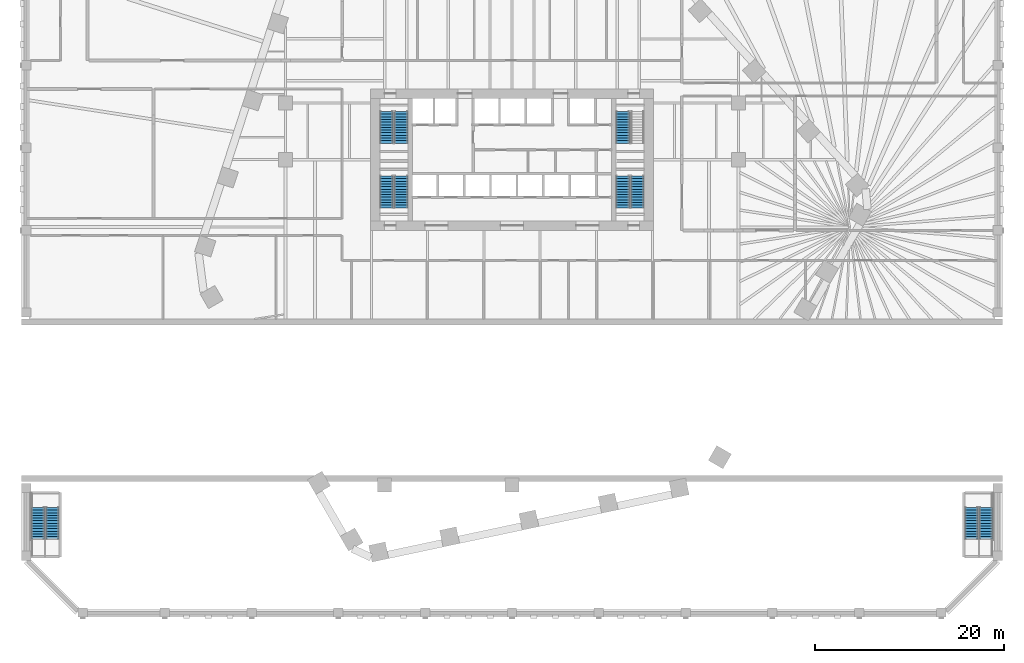
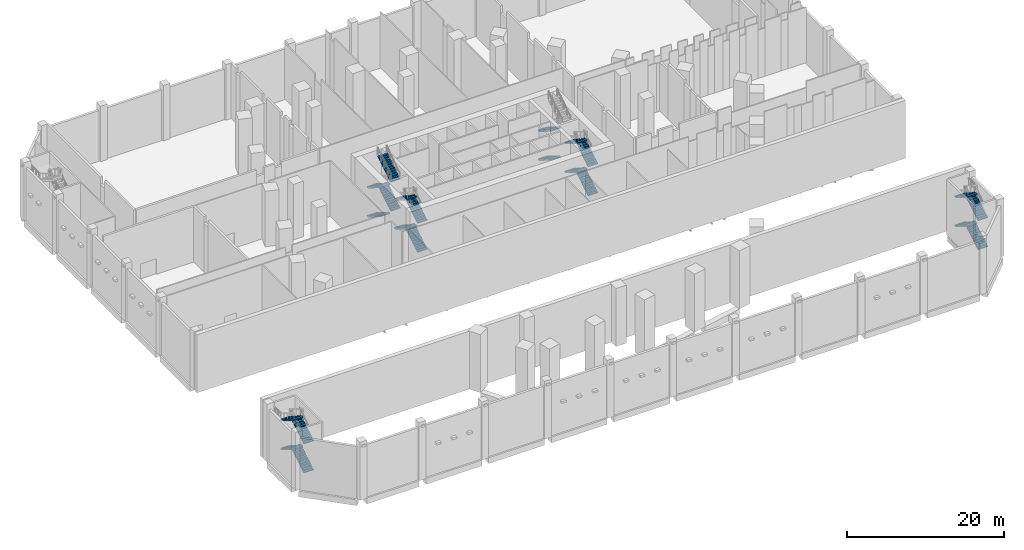
# One storey, part 13 of 23: 22 stair flights, 6 elements without a shape of their own.
"""IFC4 building model written with IfcOpenShell, lengths in metres."""

from ifc_helpers import new_model, si_unit, direction, frame, origin, place, context, subcontext, project, spatial, polyline, outline, extrude, material, type_object, element, aggregate, save


model = new_model("IFC4")

# Units and contexts
model_context = context("Model", 3, precision=1e-05, world=origin(), true_north=direction((0.0, 1.0)))
body_context = subcontext(model_context, "Body", "Model", "MODEL_VIEW")
ifc_project = project(units=[si_unit("LENGTHUNIT", "METRE"), si_unit("AREAUNIT", "SQUARE_METRE"), si_unit("VOLUMEUNIT", "CUBIC_METRE"), si_unit("PLANEANGLEUNIT", "RADIAN"), si_unit("MASSUNIT", "GRAM", prefix="KILO")], contexts=[model_context])

# Site, building, storey
site_placement = place(None, origin())
site = spatial("IfcSite", under=ifc_project, at=site_placement, CompositionType="ELEMENT")
building_placement = place(site_placement, origin())
building = spatial("IfcBuilding", under=site, at=building_placement, Name="Isthmus Gate Tower", CompositionType="ELEMENT")
storey_placement = place(building_placement, frame((0.0, 0.0, 9.0)))
storey = spatial("IfcBuildingStorey", under=building, at=storey_placement, Name="L01", CompositionType="ELEMENT", Elevation=9.0)

# Stair, stair flights
ifc_material_1 = material(Name="Concrete f'c 40 MPa", Category="concrete")
stair_type_1 = type_object("IfcStairType", Name="Podium exit stair 1400 wide flights", PredefinedType="HALF_TURN_STAIR", material=ifc_material_1)
stair_1_placement = place(storey_placement, origin())
stair_1 = element("IfcStair", 1, at=stair_1_placement, inside=storey, type_object=stair_type_1, Name="L01 Podium Exit Stair ST3", PredefinedType="HALF_TURN_STAIR")
ifc_material_2 = material(Name="Concrete f'c 40 MPa", Category="concrete")
stair_flight_type_1 = type_object("IfcStairFlightType", Name="Podium stair flight 1400", PredefinedType="STRAIGHT", material=ifc_material_2)
stair_flight_1_placement = place(storey_placement, frame((-48.699951171875, -32.72509765625, 0.0), z_axis=(0.0, 0.0, 1.0), x_axis=(0.0, 1.0, 0.0)))
stair_flight_1 = element("IfcStairFlight", 2, at=stair_flight_1_placement, type_object=stair_flight_type_1, Name="ST3 flight 1", NumberOfRisers=13, NumberOfTreads=12, PredefinedType="STRAIGHT", RiserHeight=0.173076923, TreadLength=0.28, context=body_context, shape_type="SweptSolid", body=[
    extrude(outline(polyline([(0.0, 0.0), (0.0, 0.173095703125), (0.280029296875, 0.173095703125), (0.280029296875, 0.34619140625), (0.56005859375, 0.34619140625), (0.56005859375, 0.519287109375), (0.840087890625, 0.519287109375), (0.840087890625, 0.6923828125), (1.1201171875, 0.6923828125), (1.1201171875, 0.865478515625), (1.39990234375, 0.865478515625), (1.39990234375, 1.03857421875), (1.679931640625, 1.03857421875), (1.679931640625, 1.21142578125), (1.9599609375, 1.21142578125), (1.9599609375, 1.384521484375), (2.239990234375, 1.384521484375), (2.239990234375, 1.5576171875), (2.52001953125, 1.5576171875), (2.52001953125, 1.730712890625), (2.800048828125, 1.730712890625), (2.800048828125, 1.90380859375), (3.080078125, 1.90380859375), (3.080078125, 2.076904296875), (3.360107421875, 2.076904296875), (3.360107421875, 2.25), (3.360107421875, 1.900634765625), (0.28515625, 0.0), (0.0, 0.0)])), frame((0.0, 0.699951171875, 0.0), z_axis=(0.0, -1.0, 0.0), x_axis=(1.0, 0.0, 0.0)), (0.0, 0.0, 1.0), 1.39990234375),
])
stair_flight_2_placement = place(storey_placement, frame((-50.25, -29.364990234375, 2.25), z_axis=(0.0, 0.0, 1.0), x_axis=(0.0, -1.0, 0.0)))
stair_flight_2 = element("IfcStairFlight", 3, at=stair_flight_2_placement, type_object=stair_flight_type_1, Name="ST3 flight 2", NumberOfRisers=13, NumberOfTreads=12, PredefinedType="STRAIGHT", RiserHeight=0.173076923, TreadLength=0.28, context=body_context, shape_type="SweptSolid", body=[
    extrude(outline(polyline([(0.0, 0.0), (0.0, 0.173095703125), (0.280029296875, 0.173095703125), (0.280029296875, 0.34619140625), (0.56005859375, 0.34619140625), (0.56005859375, 0.519287109375), (0.840087890625, 0.519287109375), (0.840087890625, 0.6923828125), (1.1201171875, 0.6923828125), (1.1201171875, 0.865478515625), (1.39990234375, 0.865478515625), (1.39990234375, 1.03857421875), (1.679931640625, 1.03857421875), (1.679931640625, 1.21142578125), (1.9599609375, 1.21142578125), (1.9599609375, 1.384521484375), (2.239990234375, 1.384521484375), (2.239990234375, 1.5576171875), (2.52001953125, 1.5576171875), (2.52001953125, 1.730712890625), (2.800048828125, 1.730712890625), (2.800048828125, 1.90380859375), (3.080078125, 1.90380859375), (3.080078125, 2.076904296875), (3.360107421875, 2.076904296875), (3.360107421875, 2.25), (3.360107421875, 1.900634765625), (0.28515625, 0.0), (0.0, 0.0)])), frame((0.0, 0.699951171875, 0.0), z_axis=(0.0, -1.0, 0.0), x_axis=(1.0, 0.0, 0.0)), (0.0, 0.0, 1.0), 1.39990234375),
])
stair_flight_3_placement = place(storey_placement, frame((-48.699951171875, -32.72509765625, 4.5), z_axis=(0.0, 0.0, 1.0), x_axis=(0.0, 1.0, 0.0)))
stair_flight_3 = element("IfcStairFlight", 4, at=stair_flight_3_placement, type_object=stair_flight_type_1, Name="ST3 flight 3", NumberOfRisers=13, NumberOfTreads=12, PredefinedType="STRAIGHT", RiserHeight=0.173076923, TreadLength=0.28, context=body_context, shape_type="SweptSolid", body=[
    extrude(outline(polyline([(0.0, 0.0), (0.0, 0.173095703125), (0.280029296875, 0.173095703125), (0.280029296875, 0.34619140625), (0.56005859375, 0.34619140625), (0.56005859375, 0.519287109375), (0.840087890625, 0.519287109375), (0.840087890625, 0.6923828125), (1.1201171875, 0.6923828125), (1.1201171875, 0.865478515625), (1.39990234375, 0.865478515625), (1.39990234375, 1.03857421875), (1.679931640625, 1.03857421875), (1.679931640625, 1.21142578125), (1.9599609375, 1.21142578125), (1.9599609375, 1.384521484375), (2.239990234375, 1.384521484375), (2.239990234375, 1.5576171875), (2.52001953125, 1.5576171875), (2.52001953125, 1.730712890625), (2.800048828125, 1.730712890625), (2.800048828125, 1.90380859375), (3.080078125, 1.90380859375), (3.080078125, 2.076904296875), (3.360107421875, 2.076904296875), (3.360107421875, 2.25), (3.360107421875, 1.900634765625), (0.28515625, 0.0), (0.0, 0.0)])), frame((0.0, 0.699951171875, 0.0), z_axis=(0.0, -1.0, 0.0), x_axis=(1.0, 0.0, 0.0)), (0.0, 0.0, 1.0), 1.39990234375),
])
stair_flight_4_placement = place(storey_placement, frame((-50.25, -29.364990234375, 6.75), z_axis=(0.0, 0.0, 1.0), x_axis=(0.0, -1.0, 0.0)))
stair_flight_4 = element("IfcStairFlight", 5, at=stair_flight_4_placement, type_object=stair_flight_type_1, Name="ST3 flight 4", NumberOfRisers=13, NumberOfTreads=12, PredefinedType="STRAIGHT", RiserHeight=0.173076923, TreadLength=0.28, context=body_context, shape_type="SweptSolid", body=[
    extrude(outline(polyline([(0.0, 0.0), (0.0, 0.173095703125), (0.280029296875, 0.173095703125), (0.280029296875, 0.34619140625), (0.56005859375, 0.34619140625), (0.56005859375, 0.519287109375), (0.840087890625, 0.519287109375), (0.840087890625, 0.6923828125), (1.1201171875, 0.6923828125), (1.1201171875, 0.865478515625), (1.39990234375, 0.865478515625), (1.39990234375, 1.03857421875), (1.679931640625, 1.03857421875), (1.679931640625, 1.21142578125), (1.9599609375, 1.21142578125), (1.9599609375, 1.384521484375), (2.239990234375, 1.384521484375), (2.239990234375, 1.5576171875), (2.52001953125, 1.5576171875), (2.52001953125, 1.730712890625), (2.800048828125, 1.730712890625), (2.800048828125, 1.90380859375), (3.080078125, 1.90380859375), (3.080078125, 2.076904296875), (3.360107421875, 2.076904296875), (3.360107421875, 2.25), (3.360107421875, 1.900634765625), (0.28515625, 0.0), (0.0, 0.0)])), frame((0.0, 0.699951171875, 0.0), z_axis=(0.0, -1.0, 0.0), x_axis=(1.0, 0.0, 0.0)), (0.0, 0.0, 1.0), 1.39990234375),
])
aggregate(stair_1, [stair_flight_1, stair_flight_2, stair_flight_3, stair_flight_4])

stair_2_placement = place(storey_placement, origin())
stair_2 = element("IfcStair", 6, at=stair_2_placement, inside=storey, type_object=stair_type_1, Name="L01 Podium Exit Stair ST4", PredefinedType="HALF_TURN_STAIR")
stair_flight_5_placement = place(storey_placement, frame((50.25, -32.72509765625, 0.0), z_axis=(0.0, 0.0, 1.0), x_axis=(0.0, 1.0, 0.0)))
stair_flight_5 = element("IfcStairFlight", 7, at=stair_flight_5_placement, type_object=stair_flight_type_1, Name="ST4 flight 1", NumberOfRisers=13, NumberOfTreads=12, PredefinedType="STRAIGHT", RiserHeight=0.173076923, TreadLength=0.28, context=body_context, shape_type="SweptSolid", body=[
    extrude(outline(polyline([(0.0, 0.0), (0.0, 0.173095703125), (0.280029296875, 0.173095703125), (0.280029296875, 0.34619140625), (0.56005859375, 0.34619140625), (0.56005859375, 0.519287109375), (0.840087890625, 0.519287109375), (0.840087890625, 0.6923828125), (1.1201171875, 0.6923828125), (1.1201171875, 0.865478515625), (1.39990234375, 0.865478515625), (1.39990234375, 1.03857421875), (1.679931640625, 1.03857421875), (1.679931640625, 1.21142578125), (1.9599609375, 1.21142578125), (1.9599609375, 1.384521484375), (2.239990234375, 1.384521484375), (2.239990234375, 1.5576171875), (2.52001953125, 1.5576171875), (2.52001953125, 1.730712890625), (2.800048828125, 1.730712890625), (2.800048828125, 1.90380859375), (3.080078125, 1.90380859375), (3.080078125, 2.076904296875), (3.360107421875, 2.076904296875), (3.360107421875, 2.25), (3.360107421875, 1.900634765625), (0.28515625, 0.0), (0.0, 0.0)])), frame((0.0, 0.699951171875, 0.0), z_axis=(0.0, -1.0, 0.0), x_axis=(1.0, 0.0, 0.0)), (0.0, 0.0, 1.0), 1.39990234375),
])
stair_flight_6_placement = place(storey_placement, frame((48.699951171875, -29.364990234375, 2.25), z_axis=(0.0, 0.0, 1.0), x_axis=(0.0, -1.0, 0.0)))
stair_flight_6 = element("IfcStairFlight", 8, at=stair_flight_6_placement, type_object=stair_flight_type_1, Name="ST4 flight 2", NumberOfRisers=13, NumberOfTreads=12, PredefinedType="STRAIGHT", RiserHeight=0.173076923, TreadLength=0.28, context=body_context, shape_type="SweptSolid", body=[
    extrude(outline(polyline([(0.0, 0.0), (0.0, 0.173095703125), (0.280029296875, 0.173095703125), (0.280029296875, 0.34619140625), (0.56005859375, 0.34619140625), (0.56005859375, 0.519287109375), (0.840087890625, 0.519287109375), (0.840087890625, 0.6923828125), (1.1201171875, 0.6923828125), (1.1201171875, 0.865478515625), (1.39990234375, 0.865478515625), (1.39990234375, 1.03857421875), (1.679931640625, 1.03857421875), (1.679931640625, 1.21142578125), (1.9599609375, 1.21142578125), (1.9599609375, 1.384521484375), (2.239990234375, 1.384521484375), (2.239990234375, 1.5576171875), (2.52001953125, 1.5576171875), (2.52001953125, 1.730712890625), (2.800048828125, 1.730712890625), (2.800048828125, 1.90380859375), (3.080078125, 1.90380859375), (3.080078125, 2.076904296875), (3.360107421875, 2.076904296875), (3.360107421875, 2.25), (3.360107421875, 1.900634765625), (0.28515625, 0.0), (0.0, 0.0)])), frame((0.0, 0.699951171875, 0.0), z_axis=(0.0, -1.0, 0.0), x_axis=(1.0, 0.0, 0.0)), (0.0, 0.0, 1.0), 1.39990234375),
])
stair_flight_7_placement = place(storey_placement, frame((50.25, -32.72509765625, 4.5), z_axis=(0.0, 0.0, 1.0), x_axis=(0.0, 1.0, 0.0)))
stair_flight_7 = element("IfcStairFlight", 9, at=stair_flight_7_placement, type_object=stair_flight_type_1, Name="ST4 flight 3", NumberOfRisers=13, NumberOfTreads=12, PredefinedType="STRAIGHT", RiserHeight=0.173076923, TreadLength=0.28, context=body_context, shape_type="SweptSolid", body=[
    extrude(outline(polyline([(0.0, 0.0), (0.0, 0.173095703125), (0.280029296875, 0.173095703125), (0.280029296875, 0.34619140625), (0.56005859375, 0.34619140625), (0.56005859375, 0.519287109375), (0.840087890625, 0.519287109375), (0.840087890625, 0.6923828125), (1.1201171875, 0.6923828125), (1.1201171875, 0.865478515625), (1.39990234375, 0.865478515625), (1.39990234375, 1.03857421875), (1.679931640625, 1.03857421875), (1.679931640625, 1.21142578125), (1.9599609375, 1.21142578125), (1.9599609375, 1.384521484375), (2.239990234375, 1.384521484375), (2.239990234375, 1.5576171875), (2.52001953125, 1.5576171875), (2.52001953125, 1.730712890625), (2.800048828125, 1.730712890625), (2.800048828125, 1.90380859375), (3.080078125, 1.90380859375), (3.080078125, 2.076904296875), (3.360107421875, 2.076904296875), (3.360107421875, 2.25), (3.360107421875, 1.900634765625), (0.28515625, 0.0), (0.0, 0.0)])), frame((0.0, 0.699951171875, 0.0), z_axis=(0.0, -1.0, 0.0), x_axis=(1.0, 0.0, 0.0)), (0.0, 0.0, 1.0), 1.39990234375),
])
stair_flight_8_placement = place(storey_placement, frame((48.699951171875, -29.364990234375, 6.75), z_axis=(0.0, 0.0, 1.0), x_axis=(0.0, -1.0, 0.0)))
stair_flight_8 = element("IfcStairFlight", 10, at=stair_flight_8_placement, type_object=stair_flight_type_1, Name="ST4 flight 4", NumberOfRisers=13, NumberOfTreads=12, PredefinedType="STRAIGHT", RiserHeight=0.173076923, TreadLength=0.28, context=body_context, shape_type="SweptSolid", body=[
    extrude(outline(polyline([(0.0, 0.0), (0.0, 0.173095703125), (0.280029296875, 0.173095703125), (0.280029296875, 0.34619140625), (0.56005859375, 0.34619140625), (0.56005859375, 0.519287109375), (0.840087890625, 0.519287109375), (0.840087890625, 0.6923828125), (1.1201171875, 0.6923828125), (1.1201171875, 0.865478515625), (1.39990234375, 0.865478515625), (1.39990234375, 1.03857421875), (1.679931640625, 1.03857421875), (1.679931640625, 1.21142578125), (1.9599609375, 1.21142578125), (1.9599609375, 1.384521484375), (2.239990234375, 1.384521484375), (2.239990234375, 1.5576171875), (2.52001953125, 1.5576171875), (2.52001953125, 1.730712890625), (2.800048828125, 1.730712890625), (2.800048828125, 1.90380859375), (3.080078125, 1.90380859375), (3.080078125, 2.076904296875), (3.360107421875, 2.076904296875), (3.360107421875, 2.25), (3.360107421875, 1.900634765625), (0.28515625, 0.0), (0.0, 0.0)])), frame((0.0, 0.699951171875, 0.0), z_axis=(0.0, -1.0, 0.0), x_axis=(1.0, 0.0, 0.0)), (0.0, 0.0, 1.0), 1.39990234375),
])
aggregate(stair_2, [stair_flight_5, stair_flight_6, stair_flight_7, stair_flight_8])

ifc_material_3 = material(Name="Concrete f'c 40 MPa", Category="concrete")
stair_type_2 = type_object("IfcStairType", Name="CORE STAIR 52 RISERS", PredefinedType="HALF_TURN_STAIR", material=ifc_material_3)
stair_3_placement = place(storey_placement, origin())
stair_3 = element("IfcStair", 11, at=stair_3_placement, inside=storey, type_object=stair_type_2, Name="L01 Exit Stair 1", PredefinedType="HALF_TURN_STAIR")
ifc_material_4 = material(Name="Concrete f'c 40 MPa", Category="concrete")
stair_flight_type_2 = type_object("IfcStairFlightType", Name="STAIR FLIGHT RC 1400", PredefinedType="STRAIGHT", material=ifc_material_4)
stair_flight_9_placement = place(storey_placement, frame((-13.300048828125, 12.60009765625, 0.0), z_axis=(0.0, 0.0, 1.0), x_axis=(0.0, -1.0, 0.0)))
stair_flight_9 = element("IfcStairFlight", 12, at=stair_flight_9_placement, type_object=stair_flight_type_2, Name="ST1 flight 1", NumberOfRisers=13, NumberOfTreads=12, PredefinedType="STRAIGHT", RiserHeight=0.173076923, TreadLength=0.28, context=body_context, shape_type="SweptSolid", body=[
    extrude(outline(polyline([(0.0, 0.0), (0.0, 0.173095703125), (0.280029296875, 0.173095703125), (0.280029296875, 0.34619140625), (0.56005859375, 0.34619140625), (0.56005859375, 0.519287109375), (0.840087890625, 0.519287109375), (0.840087890625, 0.6923828125), (1.1201171875, 0.6923828125), (1.1201171875, 0.865478515625), (1.39990234375, 0.865478515625), (1.39990234375, 1.03857421875), (1.679931640625, 1.03857421875), (1.679931640625, 1.21142578125), (1.9599609375, 1.21142578125), (1.9599609375, 1.384521484375), (2.239990234375, 1.384521484375), (2.239990234375, 1.5576171875), (2.52001953125, 1.5576171875), (2.52001953125, 1.730712890625), (2.800048828125, 1.730712890625), (2.800048828125, 1.90380859375), (3.080078125, 1.90380859375), (3.080078125, 2.076904296875), (3.360107421875, 2.076904296875), (3.360107421875, 2.25), (3.360107421875, 1.900634765625), (0.28515625, 0.0), (0.0, 0.0)])), frame((0.0, 0.699951171875, 0.0), z_axis=(0.0, -1.0, 0.0), x_axis=(1.0, 0.0, 0.0)), (0.0, 0.0, 1.0), 1.39990234375),
])
stair_flight_10_placement = place(storey_placement, frame((-11.75, 9.239990234375, 2.25), z_axis=(0.0, 0.0, 1.0), x_axis=(0.0, 1.0, 0.0)))
stair_flight_10 = element("IfcStairFlight", 13, at=stair_flight_10_placement, type_object=stair_flight_type_2, Name="ST1 flight 2", NumberOfRisers=13, NumberOfTreads=12, PredefinedType="STRAIGHT", RiserHeight=0.173076923, TreadLength=0.28, context=body_context, shape_type="SweptSolid", body=[
    extrude(outline(polyline([(0.0, 0.0), (0.0, 0.173095703125), (0.280029296875, 0.173095703125), (0.280029296875, 0.34619140625), (0.56005859375, 0.34619140625), (0.56005859375, 0.519287109375), (0.840087890625, 0.519287109375), (0.840087890625, 0.6923828125), (1.1201171875, 0.6923828125), (1.1201171875, 0.865478515625), (1.39990234375, 0.865478515625), (1.39990234375, 1.03857421875), (1.679931640625, 1.03857421875), (1.679931640625, 1.21142578125), (1.9599609375, 1.21142578125), (1.9599609375, 1.384521484375), (2.239990234375, 1.384521484375), (2.239990234375, 1.5576171875), (2.52001953125, 1.5576171875), (2.52001953125, 1.730712890625), (2.800048828125, 1.730712890625), (2.800048828125, 1.90380859375), (3.080078125, 1.90380859375), (3.080078125, 2.076904296875), (3.360107421875, 2.076904296875), (3.360107421875, 2.25), (3.360107421875, 1.900634765625), (0.28515625, 0.0), (0.0, 0.0)])), frame((0.0, 0.699951171875, 0.0), z_axis=(0.0, -1.0, 0.0), x_axis=(1.0, 0.0, 0.0)), (0.0, 0.0, 1.0), 1.39990234375),
])
stair_flight_11_placement = place(storey_placement, frame((-13.300048828125, 12.60009765625, 4.5), z_axis=(0.0, 0.0, 1.0), x_axis=(0.0, -1.0, 0.0)))
stair_flight_11 = element("IfcStairFlight", 14, at=stair_flight_11_placement, type_object=stair_flight_type_2, Name="ST1 flight 3", NumberOfRisers=13, NumberOfTreads=12, PredefinedType="STRAIGHT", RiserHeight=0.173076923, TreadLength=0.28, context=body_context, shape_type="SweptSolid", body=[
    extrude(outline(polyline([(0.0, 0.0), (0.0, 0.173095703125), (0.280029296875, 0.173095703125), (0.280029296875, 0.34619140625), (0.56005859375, 0.34619140625), (0.56005859375, 0.519287109375), (0.840087890625, 0.519287109375), (0.840087890625, 0.6923828125), (1.1201171875, 0.6923828125), (1.1201171875, 0.865478515625), (1.39990234375, 0.865478515625), (1.39990234375, 1.03857421875), (1.679931640625, 1.03857421875), (1.679931640625, 1.21142578125), (1.9599609375, 1.21142578125), (1.9599609375, 1.384521484375), (2.239990234375, 1.384521484375), (2.239990234375, 1.5576171875), (2.52001953125, 1.5576171875), (2.52001953125, 1.730712890625), (2.800048828125, 1.730712890625), (2.800048828125, 1.90380859375), (3.080078125, 1.90380859375), (3.080078125, 2.076904296875), (3.360107421875, 2.076904296875), (3.360107421875, 2.25), (3.360107421875, 1.900634765625), (0.28515625, 0.0), (0.0, 0.0)])), frame((0.0, 0.699951171875, 0.0), z_axis=(0.0, -1.0, 0.0), x_axis=(1.0, 0.0, 0.0)), (0.0, 0.0, 1.0), 1.39990234375),
])
stair_flight_12_placement = place(storey_placement, frame((-11.75, 9.239990234375, 6.75), z_axis=(0.0, 0.0, 1.0), x_axis=(0.0, 1.0, 0.0)))
stair_flight_12 = element("IfcStairFlight", 15, at=stair_flight_12_placement, type_object=stair_flight_type_2, Name="ST1 flight 4", NumberOfRisers=13, NumberOfTreads=12, PredefinedType="STRAIGHT", RiserHeight=0.173076923, TreadLength=0.28, context=body_context, shape_type="SweptSolid", body=[
    extrude(outline(polyline([(0.0, 0.0), (0.0, 0.173095703125), (0.280029296875, 0.173095703125), (0.280029296875, 0.34619140625), (0.56005859375, 0.34619140625), (0.56005859375, 0.519287109375), (0.840087890625, 0.519287109375), (0.840087890625, 0.6923828125), (1.1201171875, 0.6923828125), (1.1201171875, 0.865478515625), (1.39990234375, 0.865478515625), (1.39990234375, 1.03857421875), (1.679931640625, 1.03857421875), (1.679931640625, 1.21142578125), (1.9599609375, 1.21142578125), (1.9599609375, 1.384521484375), (2.239990234375, 1.384521484375), (2.239990234375, 1.5576171875), (2.52001953125, 1.5576171875), (2.52001953125, 1.730712890625), (2.800048828125, 1.730712890625), (2.800048828125, 1.90380859375), (3.080078125, 1.90380859375), (3.080078125, 2.076904296875), (3.360107421875, 2.076904296875), (3.360107421875, 2.25), (3.360107421875, 1.900634765625), (0.28515625, 0.0), (0.0, 0.0)])), frame((0.0, 0.699951171875, 0.0), z_axis=(0.0, -1.0, 0.0), x_axis=(1.0, 0.0, 0.0)), (0.0, 0.0, 1.0), 1.39990234375),
])
aggregate(stair_3, [stair_flight_9, stair_flight_10, stair_flight_11, stair_flight_12])

stair_4_placement = place(storey_placement, origin())
stair_4 = element("IfcStair", 16, at=stair_4_placement, inside=storey, type_object=stair_type_2, Name="L01 Exit Stair 2", PredefinedType="HALF_TURN_STAIR")
stair_flight_13_placement = place(storey_placement, frame((11.75, 12.60009765625, 0.0), z_axis=(0.0, 0.0, 1.0), x_axis=(0.0, -1.0, 0.0)))
stair_flight_13 = element("IfcStairFlight", 17, at=stair_flight_13_placement, type_object=stair_flight_type_2, Name="ST2 flight 1", NumberOfRisers=13, NumberOfTreads=12, PredefinedType="STRAIGHT", RiserHeight=0.173076923, TreadLength=0.28, context=body_context, shape_type="SweptSolid", body=[
    extrude(outline(polyline([(0.0, 0.0), (0.0, 0.173095703125), (0.280029296875, 0.173095703125), (0.280029296875, 0.34619140625), (0.56005859375, 0.34619140625), (0.56005859375, 0.519287109375), (0.840087890625, 0.519287109375), (0.840087890625, 0.6923828125), (1.1201171875, 0.6923828125), (1.1201171875, 0.865478515625), (1.39990234375, 0.865478515625), (1.39990234375, 1.03857421875), (1.679931640625, 1.03857421875), (1.679931640625, 1.21142578125), (1.9599609375, 1.21142578125), (1.9599609375, 1.384521484375), (2.239990234375, 1.384521484375), (2.239990234375, 1.5576171875), (2.52001953125, 1.5576171875), (2.52001953125, 1.730712890625), (2.800048828125, 1.730712890625), (2.800048828125, 1.90380859375), (3.080078125, 1.90380859375), (3.080078125, 2.076904296875), (3.360107421875, 2.076904296875), (3.360107421875, 2.25), (3.360107421875, 1.900634765625), (0.28515625, 0.0), (0.0, 0.0)])), frame((0.0, 0.699951171875, 0.0), z_axis=(0.0, -1.0, 0.0), x_axis=(1.0, 0.0, 0.0)), (0.0, 0.0, 1.0), 1.39990234375),
])
stair_flight_14_placement = place(storey_placement, frame((11.75, 12.60009765625, 4.5), z_axis=(0.0, 0.0, 1.0), x_axis=(0.0, -1.0, 0.0)))
stair_flight_14 = element("IfcStairFlight", 18, at=stair_flight_14_placement, type_object=stair_flight_type_2, Name="ST2 flight 3", NumberOfRisers=13, NumberOfTreads=12, PredefinedType="STRAIGHT", RiserHeight=0.173076923, TreadLength=0.28, context=body_context, shape_type="SweptSolid", body=[
    extrude(outline(polyline([(0.0, 0.0), (0.0, 0.173095703125), (0.280029296875, 0.173095703125), (0.280029296875, 0.34619140625), (0.56005859375, 0.34619140625), (0.56005859375, 0.519287109375), (0.840087890625, 0.519287109375), (0.840087890625, 0.6923828125), (1.1201171875, 0.6923828125), (1.1201171875, 0.865478515625), (1.39990234375, 0.865478515625), (1.39990234375, 1.03857421875), (1.679931640625, 1.03857421875), (1.679931640625, 1.21142578125), (1.9599609375, 1.21142578125), (1.9599609375, 1.384521484375), (2.239990234375, 1.384521484375), (2.239990234375, 1.5576171875), (2.52001953125, 1.5576171875), (2.52001953125, 1.730712890625), (2.800048828125, 1.730712890625), (2.800048828125, 1.90380859375), (3.080078125, 1.90380859375), (3.080078125, 2.076904296875), (3.360107421875, 2.076904296875), (3.360107421875, 2.25), (3.360107421875, 1.900634765625), (0.28515625, 0.0), (0.0, 0.0)])), frame((0.0, 0.699951171875, 0.0), z_axis=(0.0, -1.0, 0.0), x_axis=(1.0, 0.0, 0.0)), (0.0, 0.0, 1.0), 1.39990234375),
])
aggregate(stair_4, [stair_flight_13, stair_flight_14])

stair_5_placement = place(storey_placement, origin())
stair_5 = element("IfcStair", 19, at=stair_5_placement, inside=storey, type_object=stair_type_2, Name="L01 Exit Stair 7", PredefinedType="HALF_TURN_STAIR")
stair_flight_15_placement = place(storey_placement, frame((-11.75, 2.39990234375, 0.0), z_axis=(0.0, 0.0, 1.0), x_axis=(0.0, 1.0, 0.0)))
stair_flight_15 = element("IfcStairFlight", 20, at=stair_flight_15_placement, type_object=stair_flight_type_2, Name="ST7 flight 1", NumberOfRisers=13, NumberOfTreads=12, PredefinedType="STRAIGHT", RiserHeight=0.173076923, TreadLength=0.28, context=body_context, shape_type="SweptSolid", body=[
    extrude(outline(polyline([(0.0, 0.0), (0.0, 0.173095703125), (0.280029296875, 0.173095703125), (0.280029296875, 0.34619140625), (0.56005859375, 0.34619140625), (0.56005859375, 0.519287109375), (0.840087890625, 0.519287109375), (0.840087890625, 0.6923828125), (1.1201171875, 0.6923828125), (1.1201171875, 0.865478515625), (1.39990234375, 0.865478515625), (1.39990234375, 1.03857421875), (1.679931640625, 1.03857421875), (1.679931640625, 1.21142578125), (1.9599609375, 1.21142578125), (1.9599609375, 1.384521484375), (2.239990234375, 1.384521484375), (2.239990234375, 1.5576171875), (2.52001953125, 1.5576171875), (2.52001953125, 1.730712890625), (2.800048828125, 1.730712890625), (2.800048828125, 1.90380859375), (3.080078125, 1.90380859375), (3.080078125, 2.076904296875), (3.360107421875, 2.076904296875), (3.360107421875, 2.25), (3.360107421875, 1.900634765625), (0.28515625, 0.0), (0.0, 0.0)])), frame((0.0, 0.699951171875, 0.0), z_axis=(0.0, -1.0, 0.0), x_axis=(1.0, 0.0, 0.0)), (0.0, 0.0, 1.0), 1.39990234375),
])
stair_flight_16_placement = place(storey_placement, frame((-13.300048828125, 5.760009765625, 2.25), z_axis=(0.0, 0.0, 1.0), x_axis=(0.0, -1.0, 0.0)))
stair_flight_16 = element("IfcStairFlight", 21, at=stair_flight_16_placement, type_object=stair_flight_type_2, Name="ST7 flight 2", NumberOfRisers=13, NumberOfTreads=12, PredefinedType="STRAIGHT", RiserHeight=0.173076923, TreadLength=0.28, context=body_context, shape_type="SweptSolid", body=[
    extrude(outline(polyline([(0.0, 0.0), (0.0, 0.173095703125), (0.280029296875, 0.173095703125), (0.280029296875, 0.34619140625), (0.56005859375, 0.34619140625), (0.56005859375, 0.519287109375), (0.840087890625, 0.519287109375), (0.840087890625, 0.6923828125), (1.1201171875, 0.6923828125), (1.1201171875, 0.865478515625), (1.39990234375, 0.865478515625), (1.39990234375, 1.03857421875), (1.679931640625, 1.03857421875), (1.679931640625, 1.21142578125), (1.9599609375, 1.21142578125), (1.9599609375, 1.384521484375), (2.239990234375, 1.384521484375), (2.239990234375, 1.5576171875), (2.52001953125, 1.5576171875), (2.52001953125, 1.730712890625), (2.800048828125, 1.730712890625), (2.800048828125, 1.90380859375), (3.080078125, 1.90380859375), (3.080078125, 2.076904296875), (3.360107421875, 2.076904296875), (3.360107421875, 2.25), (3.360107421875, 1.900634765625), (0.28515625, 0.0), (0.0, 0.0)])), frame((0.0, 0.699951171875, 0.0), z_axis=(0.0, -1.0, 0.0), x_axis=(1.0, 0.0, 0.0)), (0.0, 0.0, 1.0), 1.39990234375),
])
stair_flight_17_placement = place(storey_placement, frame((-11.75, 2.39990234375, 4.5), z_axis=(0.0, 0.0, 1.0), x_axis=(0.0, 1.0, 0.0)))
stair_flight_17 = element("IfcStairFlight", 22, at=stair_flight_17_placement, type_object=stair_flight_type_2, Name="ST7 flight 3", NumberOfRisers=13, NumberOfTreads=12, PredefinedType="STRAIGHT", RiserHeight=0.173076923, TreadLength=0.28, context=body_context, shape_type="SweptSolid", body=[
    extrude(outline(polyline([(0.0, 0.0), (0.0, 0.173095703125), (0.280029296875, 0.173095703125), (0.280029296875, 0.34619140625), (0.56005859375, 0.34619140625), (0.56005859375, 0.519287109375), (0.840087890625, 0.519287109375), (0.840087890625, 0.6923828125), (1.1201171875, 0.6923828125), (1.1201171875, 0.865478515625), (1.39990234375, 0.865478515625), (1.39990234375, 1.03857421875), (1.679931640625, 1.03857421875), (1.679931640625, 1.21142578125), (1.9599609375, 1.21142578125), (1.9599609375, 1.384521484375), (2.239990234375, 1.384521484375), (2.239990234375, 1.5576171875), (2.52001953125, 1.5576171875), (2.52001953125, 1.730712890625), (2.800048828125, 1.730712890625), (2.800048828125, 1.90380859375), (3.080078125, 1.90380859375), (3.080078125, 2.076904296875), (3.360107421875, 2.076904296875), (3.360107421875, 2.25), (3.360107421875, 1.900634765625), (0.28515625, 0.0), (0.0, 0.0)])), frame((0.0, 0.699951171875, 0.0), z_axis=(0.0, -1.0, 0.0), x_axis=(1.0, 0.0, 0.0)), (0.0, 0.0, 1.0), 1.39990234375),
])
stair_flight_18_placement = place(storey_placement, frame((-13.300048828125, 5.760009765625, 6.75), z_axis=(0.0, 0.0, 1.0), x_axis=(0.0, -1.0, 0.0)))
stair_flight_18 = element("IfcStairFlight", 23, at=stair_flight_18_placement, type_object=stair_flight_type_2, Name="ST7 flight 4", NumberOfRisers=13, NumberOfTreads=12, PredefinedType="STRAIGHT", RiserHeight=0.173076923, TreadLength=0.28, context=body_context, shape_type="SweptSolid", body=[
    extrude(outline(polyline([(0.0, 0.0), (0.0, 0.173095703125), (0.280029296875, 0.173095703125), (0.280029296875, 0.34619140625), (0.56005859375, 0.34619140625), (0.56005859375, 0.519287109375), (0.840087890625, 0.519287109375), (0.840087890625, 0.6923828125), (1.1201171875, 0.6923828125), (1.1201171875, 0.865478515625), (1.39990234375, 0.865478515625), (1.39990234375, 1.03857421875), (1.679931640625, 1.03857421875), (1.679931640625, 1.21142578125), (1.9599609375, 1.21142578125), (1.9599609375, 1.384521484375), (2.239990234375, 1.384521484375), (2.239990234375, 1.5576171875), (2.52001953125, 1.5576171875), (2.52001953125, 1.730712890625), (2.800048828125, 1.730712890625), (2.800048828125, 1.90380859375), (3.080078125, 1.90380859375), (3.080078125, 2.076904296875), (3.360107421875, 2.076904296875), (3.360107421875, 2.25), (3.360107421875, 1.900634765625), (0.28515625, 0.0), (0.0, 0.0)])), frame((0.0, 0.699951171875, 0.0), z_axis=(0.0, -1.0, 0.0), x_axis=(1.0, 0.0, 0.0)), (0.0, 0.0, 1.0), 1.39990234375),
])
aggregate(stair_5, [stair_flight_15, stair_flight_16, stair_flight_17, stair_flight_18])

stair_6_placement = place(storey_placement, origin())
stair_6 = element("IfcStair", 24, at=stair_6_placement, inside=storey, type_object=stair_type_2, Name="L01 Exit Stair 8", PredefinedType="HALF_TURN_STAIR")
stair_flight_19_placement = place(storey_placement, frame((13.300048828125, 2.39990234375, 0.0), z_axis=(0.0, 0.0, 1.0), x_axis=(0.0, 1.0, 0.0)))
stair_flight_19 = element("IfcStairFlight", 25, at=stair_flight_19_placement, type_object=stair_flight_type_2, Name="ST8 flight 1", NumberOfRisers=13, NumberOfTreads=12, PredefinedType="STRAIGHT", RiserHeight=0.173076923, TreadLength=0.28, context=body_context, shape_type="SweptSolid", body=[
    extrude(outline(polyline([(0.0, 0.0), (0.0, 0.173095703125), (0.280029296875, 0.173095703125), (0.280029296875, 0.34619140625), (0.56005859375, 0.34619140625), (0.56005859375, 0.519287109375), (0.840087890625, 0.519287109375), (0.840087890625, 0.6923828125), (1.1201171875, 0.6923828125), (1.1201171875, 0.865478515625), (1.39990234375, 0.865478515625), (1.39990234375, 1.03857421875), (1.679931640625, 1.03857421875), (1.679931640625, 1.21142578125), (1.9599609375, 1.21142578125), (1.9599609375, 1.384521484375), (2.239990234375, 1.384521484375), (2.239990234375, 1.5576171875), (2.52001953125, 1.5576171875), (2.52001953125, 1.730712890625), (2.800048828125, 1.730712890625), (2.800048828125, 1.90380859375), (3.080078125, 1.90380859375), (3.080078125, 2.076904296875), (3.360107421875, 2.076904296875), (3.360107421875, 2.25), (3.360107421875, 1.900634765625), (0.28515625, 0.0), (0.0, 0.0)])), frame((0.0, 0.699951171875, 0.0), z_axis=(0.0, -1.0, 0.0), x_axis=(1.0, 0.0, 0.0)), (0.0, 0.0, 1.0), 1.39990234375),
])
stair_flight_20_placement = place(storey_placement, frame((11.75, 5.760009765625, 2.25), z_axis=(0.0, 0.0, 1.0), x_axis=(0.0, -1.0, 0.0)))
stair_flight_20 = element("IfcStairFlight", 26, at=stair_flight_20_placement, type_object=stair_flight_type_2, Name="ST8 flight 2", NumberOfRisers=13, NumberOfTreads=12, PredefinedType="STRAIGHT", RiserHeight=0.173076923, TreadLength=0.28, context=body_context, shape_type="SweptSolid", body=[
    extrude(outline(polyline([(0.0, 0.0), (0.0, 0.173095703125), (0.280029296875, 0.173095703125), (0.280029296875, 0.34619140625), (0.56005859375, 0.34619140625), (0.56005859375, 0.519287109375), (0.840087890625, 0.519287109375), (0.840087890625, 0.6923828125), (1.1201171875, 0.6923828125), (1.1201171875, 0.865478515625), (1.39990234375, 0.865478515625), (1.39990234375, 1.03857421875), (1.679931640625, 1.03857421875), (1.679931640625, 1.21142578125), (1.9599609375, 1.21142578125), (1.9599609375, 1.384521484375), (2.239990234375, 1.384521484375), (2.239990234375, 1.5576171875), (2.52001953125, 1.5576171875), (2.52001953125, 1.730712890625), (2.800048828125, 1.730712890625), (2.800048828125, 1.90380859375), (3.080078125, 1.90380859375), (3.080078125, 2.076904296875), (3.360107421875, 2.076904296875), (3.360107421875, 2.25), (3.360107421875, 1.900634765625), (0.28515625, 0.0), (0.0, 0.0)])), frame((0.0, 0.699951171875, 0.0), z_axis=(0.0, -1.0, 0.0), x_axis=(1.0, 0.0, 0.0)), (0.0, 0.0, 1.0), 1.39990234375),
])
stair_flight_21_placement = place(storey_placement, frame((13.300048828125, 2.39990234375, 4.5), z_axis=(0.0, 0.0, 1.0), x_axis=(0.0, 1.0, 0.0)))
stair_flight_21 = element("IfcStairFlight", 27, at=stair_flight_21_placement, type_object=stair_flight_type_2, Name="ST8 flight 3", NumberOfRisers=13, NumberOfTreads=12, PredefinedType="STRAIGHT", RiserHeight=0.173076923, TreadLength=0.28, context=body_context, shape_type="SweptSolid", body=[
    extrude(outline(polyline([(0.0, 0.0), (0.0, 0.173095703125), (0.280029296875, 0.173095703125), (0.280029296875, 0.34619140625), (0.56005859375, 0.34619140625), (0.56005859375, 0.519287109375), (0.840087890625, 0.519287109375), (0.840087890625, 0.6923828125), (1.1201171875, 0.6923828125), (1.1201171875, 0.865478515625), (1.39990234375, 0.865478515625), (1.39990234375, 1.03857421875), (1.679931640625, 1.03857421875), (1.679931640625, 1.21142578125), (1.9599609375, 1.21142578125), (1.9599609375, 1.384521484375), (2.239990234375, 1.384521484375), (2.239990234375, 1.5576171875), (2.52001953125, 1.5576171875), (2.52001953125, 1.730712890625), (2.800048828125, 1.730712890625), (2.800048828125, 1.90380859375), (3.080078125, 1.90380859375), (3.080078125, 2.076904296875), (3.360107421875, 2.076904296875), (3.360107421875, 2.25), (3.360107421875, 1.900634765625), (0.28515625, 0.0), (0.0, 0.0)])), frame((0.0, 0.699951171875, 0.0), z_axis=(0.0, -1.0, 0.0), x_axis=(1.0, 0.0, 0.0)), (0.0, 0.0, 1.0), 1.39990234375),
])
stair_flight_22_placement = place(storey_placement, frame((11.75, 5.760009765625, 6.75), z_axis=(0.0, 0.0, 1.0), x_axis=(0.0, -1.0, 0.0)))
stair_flight_22 = element("IfcStairFlight", 28, at=stair_flight_22_placement, type_object=stair_flight_type_2, Name="ST8 flight 4", NumberOfRisers=13, NumberOfTreads=12, PredefinedType="STRAIGHT", RiserHeight=0.173076923, TreadLength=0.28, context=body_context, shape_type="SweptSolid", body=[
    extrude(outline(polyline([(0.0, 0.0), (0.0, 0.173095703125), (0.280029296875, 0.173095703125), (0.280029296875, 0.34619140625), (0.56005859375, 0.34619140625), (0.56005859375, 0.519287109375), (0.840087890625, 0.519287109375), (0.840087890625, 0.6923828125), (1.1201171875, 0.6923828125), (1.1201171875, 0.865478515625), (1.39990234375, 0.865478515625), (1.39990234375, 1.03857421875), (1.679931640625, 1.03857421875), (1.679931640625, 1.21142578125), (1.9599609375, 1.21142578125), (1.9599609375, 1.384521484375), (2.239990234375, 1.384521484375), (2.239990234375, 1.5576171875), (2.52001953125, 1.5576171875), (2.52001953125, 1.730712890625), (2.800048828125, 1.730712890625), (2.800048828125, 1.90380859375), (3.080078125, 1.90380859375), (3.080078125, 2.076904296875), (3.360107421875, 2.076904296875), (3.360107421875, 2.25), (3.360107421875, 1.900634765625), (0.28515625, 0.0), (0.0, 0.0)])), frame((0.0, 0.699951171875, 0.0), z_axis=(0.0, -1.0, 0.0), x_axis=(1.0, 0.0, 0.0)), (0.0, 0.0, 1.0), 1.39990234375),
])
aggregate(stair_6, [stair_flight_19, stair_flight_20, stair_flight_21, stair_flight_22])

save(model, "model.ifc")
